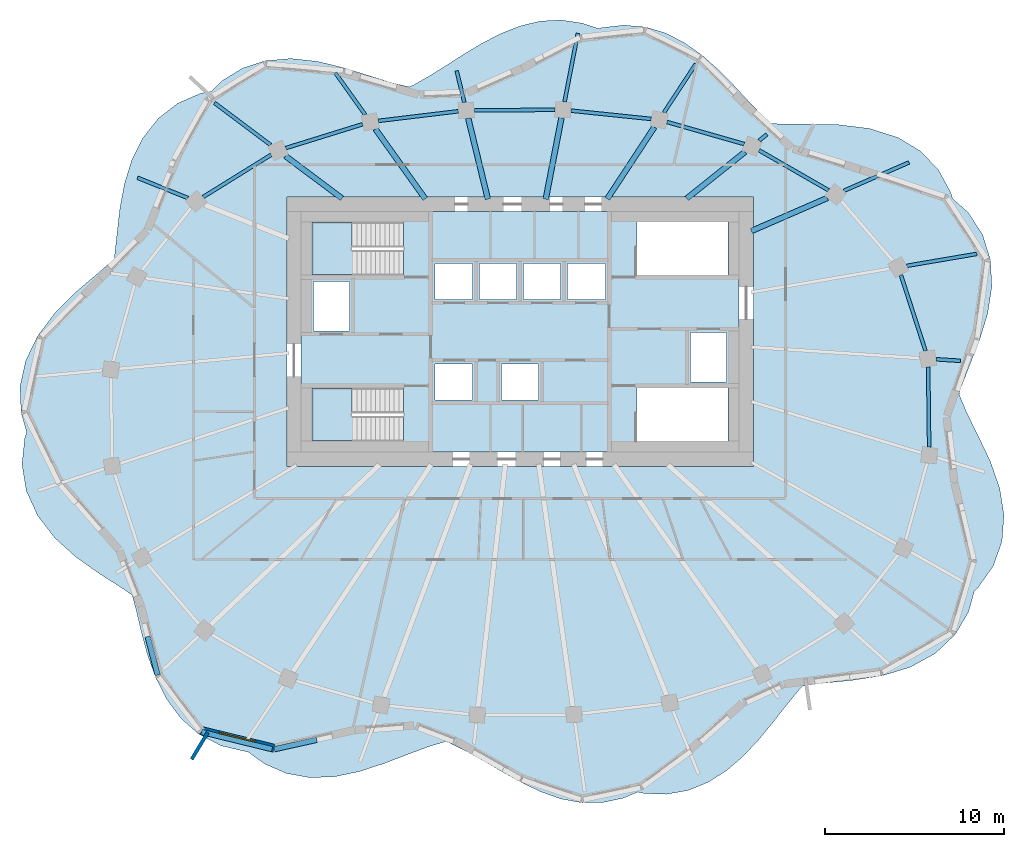
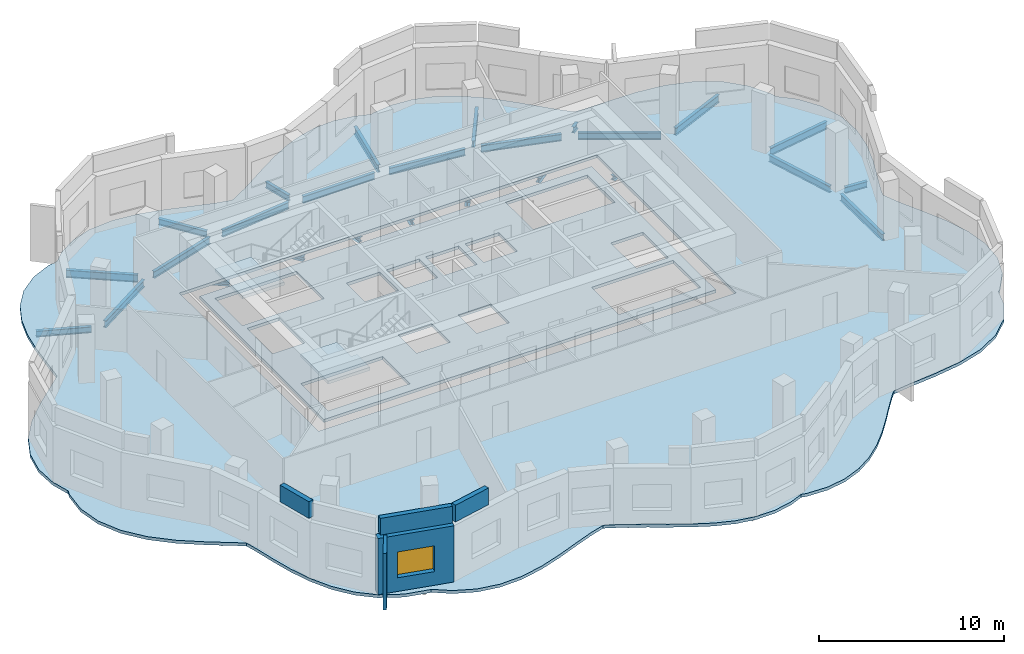
# One storey, part 2 of 9: 26 beams, 5 walls, 4 slabs, 1 window, 1 opening, 2 elements without a shape of their own.
"""IFC4 building model written with IfcOpenShell, lengths in metres."""

from ifc_helpers import new_model, si_unit, direction, frame, frame_2d, origin, origin_2d, place, context, subcontext, project, spatial, polyline, rectangle, i_section, outline, extrude, material, layer, layer_set, material_profile, profile_set, type_object, element, fill, aggregate, save


model = new_model("IFC4")

# Units and contexts
model_context = context("Model", 3, precision=1e-05, world=origin(), true_north=direction((0.0, 1.0)))
body_context = subcontext(model_context, "Body", "Model", "MODEL_VIEW")
ifc_project = project(units=[si_unit("LENGTHUNIT", "METRE"), si_unit("AREAUNIT", "SQUARE_METRE"), si_unit("VOLUMEUNIT", "CUBIC_METRE"), si_unit("PLANEANGLEUNIT", "RADIAN"), si_unit("MASSUNIT", "GRAM", prefix="KILO")], contexts=[model_context])

# Site, building, storey
site_placement = place(None, origin())
site = spatial("IfcSite", under=ifc_project, at=site_placement, CompositionType="ELEMENT")
building_placement = place(site_placement, origin())
building = spatial("IfcBuilding", under=site, at=building_placement, Name="Rubra Terraces Tower", CompositionType="ELEMENT")
storey_placement = place(building_placement, frame((0.0, 0.0, 303.89990234375)))
storey = spatial("IfcBuildingStorey", under=building, at=storey_placement, Name="L75", CompositionType="ELEMENT", Elevation=303.89990234375)

# Beams
ifc_material_1 = material(Name="Steel Q355B", Category="steel")
ifc_material_profile_1 = material_profile(ifc_material_1, i_section(OverallWidth=0.199951171875, OverallDepth=0.39990234375, WebThickness=0.008056640625, FlangeThickness=0.012939453125, at=origin_2d()), Name="HN 400x200x8x13")
ifc_profile_set_1 = profile_set([ifc_material_profile_1], Name="Steel Q355B")
beam_type_1 = type_object("IfcBeamType", Name="CANTILEVER BEAM HN 400x200x8x13", PredefinedType="BEAM", material=ifc_profile_set_1)
beam_1_placement = place(storey_placement, frame((-3.10693359375, 17.280029296875, -0.39990234375), z_axis=(-0.236299865942, 0.971680180592, 0.0), x_axis=(-0.971680180592, -0.236299865942, 0.0)))
element("IfcBeam", 1, at=beam_1_placement, inside=storey, type_object=beam_type_1, Name="beam-L75-cant-07", PredefinedType="BEAM", context=body_context, shape_type="SweptSolid", body=[
    extrude(i_section(OverallWidth=0.199951171875, OverallDepth=0.39990234375, WebThickness=0.008056640625, FlangeThickness=0.012939453125, at=origin_2d()), origin(), (0.0, 0.0, 1.0), 1.80712890625),
])
beam_2_placement = place(storey_placement, frame((-8.632080078125, 16.591064453125, -0.39990234375), z_axis=(-0.580898696932, 0.81397586199, 0.0), x_axis=(-0.81397586199, -0.580898696932, 0.0)))
element("IfcBeam", 2, at=beam_2_placement, inside=storey, type_object=beam_type_1, Name="beam-L75-cant-08", PredefinedType="BEAM", context=body_context, shape_type="SweptSolid", body=[
    extrude(i_section(OverallWidth=0.199951171875, OverallDepth=0.39990234375, WebThickness=0.008056640625, FlangeThickness=0.012939453125, at=origin_2d()), origin(), (0.0, 0.0, 1.0), 2.857421875),
])
beam_3_placement = place(storey_placement, frame((-18.51708984375, 11.949951171875, -0.39990234375), z_axis=(-0.927727536745, 0.373258111184, 0.0), x_axis=(-0.373258111184, -0.927727536745, 0.0)))
element("IfcBeam", 3, at=beam_3_placement, inside=storey, type_object=beam_type_1, Name="beam-L75-cant-10", PredefinedType="BEAM", context=body_context, shape_type="SweptSolid", body=[
    extrude(i_section(OverallWidth=0.199951171875, OverallDepth=0.39990234375, WebThickness=0.008056640625, FlangeThickness=0.012939453125, at=origin_2d()), origin(), (0.0, 0.0, 1.0), 3.019287109375),
])
ifc_material_profile_2 = material_profile(ifc_material_1, i_section(OverallWidth=0.198974609375, OverallDepth=0.446044921875, WebThickness=0.008056640625, FlangeThickness=0.011962890625, at=origin_2d()), Name="HN 446x199x8x12")
ifc_profile_set_2 = profile_set([ifc_material_profile_2], Name="Steel Q355B")
beam_type_2 = type_object("IfcBeamType", Name="CANTILEVER BEAM HN 446x199x8x12", PredefinedType="BEAM", material=ifc_profile_set_2)
beam_4_placement = place(storey_placement, frame((8.01806640625, 16.714111328125, -0.4228515625), z_axis=(0.548902148332, 0.835886614055, 0.0), x_axis=(-0.835886614055, 0.548902148332, 0.0)))
element("IfcBeam", 4, at=beam_4_placement, inside=storey, type_object=beam_type_2, Name="beam-L75-cant-05", PredefinedType="BEAM", context=body_context, shape_type="SweptSolid", body=[
    extrude(i_section(OverallWidth=0.198974609375, OverallDepth=0.446044921875, WebThickness=0.008056640625, FlangeThickness=0.011962890625, at=origin_2d()), origin(), (0.0, 0.0, 1.0), 3.233642578125),
])
ifc_material_profile_3 = material_profile(ifc_material_1, i_section(OverallWidth=0.198974609375, OverallDepth=0.49609375, WebThickness=0.009033203125, FlangeThickness=0.013916015625, at=origin_2d()), Name="HN 496x199x9x14")
ifc_profile_set_3 = profile_set([ifc_material_profile_3], Name="Steel Q355B")
beam_type_3 = type_object("IfcBeamType", Name="CANTILEVER BEAM HN 496x199x9x14", PredefinedType="BEAM", material=ifc_profile_set_3)
beam_5_placement = place(storey_placement, frame((21.552001953125, 8.169921875, -0.447998046875), z_axis=(0.985809855884, 0.167865803673, 0.0), x_axis=(-0.167865803673, 0.985809855884, 0.0)))
element("IfcBeam", 5, at=beam_5_placement, inside=storey, type_object=beam_type_3, Name="beam-L75-cant-02", PredefinedType="BEAM", context=body_context, shape_type="SweptSolid", body=[
    extrude(i_section(OverallWidth=0.198974609375, OverallDepth=0.49609375, WebThickness=0.009033203125, FlangeThickness=0.013916015625, at=origin_2d()), origin(), (0.0, 0.0, 1.0), 3.9501953125),
])
beam_6_placement = place(storey_placement, frame((18.047119140625, 12.35205078125, -0.447998046875), z_axis=(0.916957011568, 0.398986013459, 0.0), x_axis=(-0.398986013459, 0.916957011568, 0.0)))
element("IfcBeam", 6, at=beam_6_placement, inside=storey, type_object=beam_type_3, Name="beam-L75-cant-03", PredefinedType="BEAM", context=body_context, shape_type="SweptSolid", body=[
    extrude(i_section(OverallWidth=0.198974609375, OverallDepth=0.49609375, WebThickness=0.009033203125, FlangeThickness=0.013916015625, at=origin_2d()), origin(), (0.0, 0.0, 1.0), 3.949951171875),
])
beam_7_placement = place(storey_placement, frame((2.47802734375, 17.30810546875, -0.447998046875), z_axis=(0.190086340731, 0.981767377268, 0.0), x_axis=(-0.981767377268, 0.190086340731, 0.0)))
element("IfcBeam", 7, at=beam_7_placement, inside=storey, type_object=beam_type_3, Name="beam-L75-cant-06", PredefinedType="BEAM", context=body_context, shape_type="SweptSolid", body=[
    extrude(i_section(OverallWidth=0.198974609375, OverallDepth=0.49609375, WebThickness=0.009033203125, FlangeThickness=0.013916015625, at=origin_2d()), origin(), (0.0, 0.0, 1.0), 3.8876953125),
])
beam_8_placement = place(storey_placement, frame((-13.89794921875, 14.903076171875, -0.447998046875), z_axis=(-0.800479582074, 0.599360024261, 0.0), x_axis=(-0.599360024261, -0.800479582074, 0.0)))
element("IfcBeam", 8, at=beam_8_placement, inside=storey, type_object=beam_type_3, Name="beam-L75-cant-09", PredefinedType="BEAM", context=body_context, shape_type="SweptSolid", body=[
    extrude(i_section(OverallWidth=0.198974609375, OverallDepth=0.49609375, WebThickness=0.009033203125, FlangeThickness=0.013916015625, at=origin_2d()), origin(), (0.0, 0.0, 1.0), 3.907470703125),
])
ifc_material_profile_4 = material_profile(ifc_material_1, i_section(OverallWidth=0.199951171875, OverallDepth=0.39990234375, WebThickness=0.008056640625, FlangeThickness=0.012939453125, at=origin_2d()), Name="HN 400x200x8x13")
ifc_profile_set_4 = profile_set([ifc_material_profile_4], Name="Steel Q355B")
beam_type_4 = type_object("IfcBeamType", Name="CANTILEVER STUB HN 400x200x8x13", PredefinedType="BEAM", material=ifc_profile_set_4)
beam_9_placement = place(storey_placement, frame((23.195068359375, 2.9619140625, -0.39990234375), z_axis=(0.99785850461, -0.065409515961, 0.0), x_axis=(0.065409515961, 0.99785850461, 0.0)))
element("IfcBeam", 9, at=beam_9_placement, inside=storey, type_object=beam_type_4, Name="beam-L75-cant-01", PredefinedType="BEAM", context=body_context, shape_type="SweptSolid", body=[
    extrude(i_section(OverallWidth=0.199951171875, OverallDepth=0.39990234375, WebThickness=0.008056640625, FlangeThickness=0.012939453125, at=origin_2d()), origin(), (0.0, 0.0, 1.0), 1.34375),
])
beam_10_placement = place(storey_placement, frame((13.326904296875, 15.152099609375, -0.39990234375), z_axis=(0.780868809443, 0.624695047554, 0.0), x_axis=(-0.624695047554, 0.780868809443, 0.0)))
element("IfcBeam", 10, at=beam_10_placement, inside=storey, type_object=beam_type_4, Name="beam-L75-cant-04", PredefinedType="BEAM", context=body_context, shape_type="SweptSolid", body=[
    extrude(i_section(OverallWidth=0.199951171875, OverallDepth=0.39990234375, WebThickness=0.008056640625, FlangeThickness=0.012939453125, at=origin_2d()), origin(), (0.0, 0.0, 1.0), 0.545654296875),
])
ifc_material_profile_5 = material_profile(ifc_material_1, i_section(OverallWidth=0.304931640625, OverallDepth=0.300048828125, WebThickness=0.014892578125, FlangeThickness=0.014892578125, at=origin_2d()), Name="HW 300x305x15x15")
ifc_profile_set_5 = profile_set([ifc_material_profile_5], Name="Steel Q355B")
beam_type_5 = type_object("IfcBeamType", Name="FLOOR BEAM HW 300x305x15x15", PredefinedType="BEAM", material=ifc_profile_set_5)
beam_11_placement = place(storey_placement, frame((17.12109375, 11.949951171875, -0.349853515625), z_axis=(-0.916958146743, -0.398983404569, 0.0), x_axis=(0.398983404569, -0.916958146743, 0.0)))
element("IfcBeam", 11, at=beam_11_placement, inside=storey, type_object=beam_type_5, Name="beam-L75-floor-03", PredefinedType="BEAM", context=body_context, shape_type="SweptSolid", body=[
    extrude(i_section(OverallWidth=0.304931640625, OverallDepth=0.300048828125, WebThickness=0.014892578125, FlangeThickness=0.014892578125, at=origin_2d()), origin(), (0.0, 0.0, 1.0), 4.614501953125),
])
beam_12_placement = place(storey_placement, frame((12.527099609375, 14.511962890625, -0.349853515625), z_axis=(-0.781190597938, -0.624292599423, 0.0), x_axis=(0.624292599423, -0.781190597938, 0.0)))
element("IfcBeam", 12, at=beam_12_placement, inside=storey, type_object=beam_type_5, Name="beam-L75-floor-04", PredefinedType="BEAM", context=body_context, shape_type="SweptSolid", body=[
    extrude(i_section(OverallWidth=0.304931640625, OverallDepth=0.300048828125, WebThickness=0.014892578125, FlangeThickness=0.014892578125, at=origin_2d()), origin(), (0.0, 0.0, 1.0), 4.143798828125),
])
beam_13_placement = place(storey_placement, frame((7.48388671875, 15.89990234375, -0.349853515625), z_axis=(-0.548799087814, -0.835954281773, 0.0), x_axis=(0.835954281773, -0.548799087814, 0.0)))
element("IfcBeam", 13, at=beam_13_placement, inside=storey, type_object=beam_type_5, Name="beam-L75-floor-05", PredefinedType="BEAM", context=body_context, shape_type="SweptSolid", body=[
    extrude(i_section(OverallWidth=0.304931640625, OverallDepth=0.300048828125, WebThickness=0.014892578125, FlangeThickness=0.014892578125, at=origin_2d()), origin(), (0.0, 0.0, 1.0), 4.784912109375),
])
beam_14_placement = place(storey_placement, frame((2.305908203125, 16.416015625, -0.349853515625), z_axis=(-0.190104093884, -0.981763939798, 0.0), x_axis=(0.981763939798, -0.190104093884, 0.0)))
element("IfcBeam", 14, at=beam_14_placement, inside=storey, type_object=beam_type_5, Name="beam-L75-floor-06", PredefinedType="BEAM", context=body_context, shape_type="SweptSolid", body=[
    extrude(i_section(OverallWidth=0.304931640625, OverallDepth=0.300048828125, WebThickness=0.014892578125, FlangeThickness=0.014892578125, at=origin_2d()), origin(), (0.0, 0.0, 1.0), 4.6181640625),
])
beam_15_placement = place(storey_placement, frame((-2.89111328125, 16.39208984375, -0.349853515625), z_axis=(0.236229407797, -0.971697312383, 0.0), x_axis=(0.971697312383, 0.236229407797, 0.0)))
element("IfcBeam", 15, at=beam_15_placement, inside=storey, type_object=beam_type_5, Name="beam-L75-floor-07", PredefinedType="BEAM", context=body_context, shape_type="SweptSolid", body=[
    extrude(i_section(OverallWidth=0.304931640625, OverallDepth=0.300048828125, WebThickness=0.014892578125, FlangeThickness=0.014892578125, at=origin_2d()), origin(), (0.0, 0.0, 1.0), 4.640380859375),
])
beam_16_placement = place(storey_placement, frame((-8.06201171875, 15.79296875, -0.349853515625), z_axis=(0.580948286594, -0.813940469754, 0.0), x_axis=(0.813940469754, 0.580948286594, 0.0)))
element("IfcBeam", 16, at=beam_16_placement, inside=storey, type_object=beam_type_5, Name="beam-L75-floor-08", PredefinedType="BEAM", context=body_context, shape_type="SweptSolid", body=[
    extrude(i_section(OverallWidth=0.304931640625, OverallDepth=0.300048828125, WebThickness=0.014892578125, FlangeThickness=0.014892578125, at=origin_2d()), origin(), (0.0, 0.0, 1.0), 4.7802734375),
])
beam_17_placement = place(storey_placement, frame((-13.075927734375, 14.2890625, -0.349853515625), z_axis=(0.800431185592, -0.599424655092, 0.0), x_axis=(0.599424655092, 0.800431185592, 0.0)))
element("IfcBeam", 17, at=beam_17_placement, inside=storey, type_object=beam_type_5, Name="beam-L75-floor-09", PredefinedType="BEAM", context=body_context, shape_type="SweptSolid", body=[
    extrude(i_section(OverallWidth=0.304931640625, OverallDepth=0.300048828125, WebThickness=0.014892578125, FlangeThickness=0.014892578125, at=origin_2d()), origin(), (0.0, 0.0, 1.0), 3.93896484375),
])
ifc_material_profile_6 = material_profile(ifc_material_1, i_section(OverallWidth=0.198974609375, OverallDepth=0.446044921875, WebThickness=0.008056640625, FlangeThickness=0.011962890625, at=origin_2d()), Name="HN 446x199x8x12")
ifc_profile_set_6 = profile_set([ifc_material_profile_6], Name="Steel Q355B")
beam_type_6 = type_object("IfcBeamType", Name="SPANDREL BEAM HN 446x199x8x12", PredefinedType="SPANDREL", material=ifc_profile_set_6)
beam_18_placement = place(storey_placement, frame((22.593994140625, 3.426025390625, -0.4228515625), z_axis=(-0.308536942246, 0.951212360764, 0.0), x_axis=(-0.951212360764, -0.308536942246, 0.0)))
element("IfcBeam", 18, at=beam_18_placement, inside=storey, type_object=beam_type_6, Name="beam-L75-spandrel-01", PredefinedType="SPANDREL", context=body_context, shape_type="SweptSolid", body=[
    extrude(i_section(OverallWidth=0.198974609375, OverallDepth=0.446044921875, WebThickness=0.008056640625, FlangeThickness=0.011962890625, at=origin_2d()), origin(), (0.0, 0.0, 1.0), 4.44384765625),
])
beam_19_placement = place(storey_placement, frame((17.18798828125, 12.37890625, -0.4228515625), z_axis=(-0.866616005945, 0.498975648945, 0.0), x_axis=(-0.498975648945, -0.866616005945, 0.0)))
element("IfcBeam", 19, at=beam_19_placement, inside=storey, type_object=beam_type_6, Name="beam-L75-spandrel-03", PredefinedType="SPANDREL", context=body_context, shape_type="SweptSolid", body=[
    extrude(i_section(OverallWidth=0.198974609375, OverallDepth=0.446044921875, WebThickness=0.008056640625, FlangeThickness=0.011962890625, at=origin_2d()), origin(), (0.0, 0.0, 1.0), 4.463134765625),
])
beam_20_placement = place(storey_placement, frame((12.490966796875, 14.9560546875, -0.4228515625), z_axis=(-0.961713024643, 0.27405849418, 0.0), x_axis=(-0.27405849418, -0.961713024643, 0.0)))
element("IfcBeam", 20, at=beam_20_placement, inside=storey, type_object=beam_type_6, Name="beam-L75-spandrel-04", PredefinedType="SPANDREL", context=body_context, shape_type="SweptSolid", body=[
    extrude(i_section(OverallWidth=0.198974609375, OverallDepth=0.446044921875, WebThickness=0.008056640625, FlangeThickness=0.011962890625, at=origin_2d()), origin(), (0.0, 0.0, 1.0), 4.477294921875),
])
beam_21_placement = place(storey_placement, frame((7.302001953125, 16.35400390625, -0.4228515625), z_axis=(-0.994684107425, 0.102973425873, 0.0), x_axis=(-0.102973425873, -0.994684107425, 0.0)))
element("IfcBeam", 21, at=beam_21_placement, inside=storey, type_object=beam_type_6, Name="beam-L75-spandrel-05", PredefinedType="SPANDREL", context=body_context, shape_type="SweptSolid", body=[
    extrude(i_section(OverallWidth=0.198974609375, OverallDepth=0.446044921875, WebThickness=0.008056640625, FlangeThickness=0.011962890625, at=origin_2d()), origin(), (0.0, 0.0, 1.0), 4.48583984375),
])
beam_22_placement = place(storey_placement, frame((1.94091796875, 16.860107421875, -0.4228515625), z_axis=(-0.999987753188, -0.004949088244, 0.0), x_axis=(0.004949088244, -0.999987753188, 0.0)))
element("IfcBeam", 22, at=beam_22_placement, inside=storey, type_object=beam_type_6, Name="beam-L75-spandrel-06", PredefinedType="SPANDREL", context=body_context, shape_type="SweptSolid", body=[
    extrude(i_section(OverallWidth=0.198974609375, OverallDepth=0.446044921875, WebThickness=0.008056640625, FlangeThickness=0.011962890625, at=origin_2d()), origin(), (0.0, 0.0, 1.0), 4.489013671875),
])
beam_23_placement = place(storey_placement, frame((-3.447021484375, 16.781982421875, -0.4228515625), z_axis=(-0.992829862118, -0.119536040116, 0.0), x_axis=(0.119536040116, -0.992829862118, 0.0)))
element("IfcBeam", 23, at=beam_23_placement, inside=storey, type_object=beam_type_6, Name="beam-L75-spandrel-07", PredefinedType="SPANDREL", context=body_context, shape_type="SweptSolid", body=[
    extrude(i_section(OverallWidth=0.198974609375, OverallDepth=0.446044921875, WebThickness=0.008056640625, FlangeThickness=0.011962890625, at=origin_2d()), origin(), (0.0, 0.0, 1.0), 4.483154296875),
])
beam_24_placement = place(storey_placement, frame((-8.779052734375, 16.05810546875, -0.4228515625), z_axis=(-0.955035382264, -0.296491852541, 0.0), x_axis=(0.296491852541, -0.955035382264, 0.0)))
element("IfcBeam", 24, at=beam_24_placement, inside=storey, type_object=beam_type_6, Name="beam-L75-spandrel-08", PredefinedType="SPANDREL", context=body_context, shape_type="SweptSolid", body=[
    extrude(i_section(OverallWidth=0.198974609375, OverallDepth=0.446044921875, WebThickness=0.008056640625, FlangeThickness=0.011962890625, at=origin_2d()), origin(), (0.0, 0.0, 1.0), 4.47607421875),
])
beam_25_placement = place(storey_placement, frame((-13.8720703125, 14.35693359375, -0.4228515625), z_axis=(-0.849641857012, -0.527360137679, 0.0), x_axis=(0.527360137679, -0.849641857012, 0.0)))
element("IfcBeam", 25, at=beam_25_placement, inside=storey, type_object=beam_type_6, Name="beam-L75-spandrel-09", PredefinedType="SPANDREL", context=body_context, shape_type="SweptSolid", body=[
    extrude(i_section(OverallWidth=0.198974609375, OverallDepth=0.446044921875, WebThickness=0.008056640625, FlangeThickness=0.011962890625, at=origin_2d()), origin(), (0.0, 0.0, 1.0), 4.4619140625),
])
beam_26_placement = place(storey_placement, frame((22.7958984375, -1.93408203125, -0.4228515625), z_axis=(-0.01250038801, 0.999921867097, 0.0), x_axis=(-0.999921867097, -0.01250038801, 0.0)))
element("IfcBeam", 26, at=beam_26_placement, inside=storey, type_object=beam_type_6, Name="beam-L75-spandrel-24", PredefinedType="SPANDREL", context=body_context, shape_type="SweptSolid", body=[
    extrude(i_section(OverallWidth=0.198974609375, OverallDepth=0.446044921875, WebThickness=0.008056640625, FlangeThickness=0.011962890625, at=origin_2d()), origin(), (0.0, 0.0, 1.0), 4.472412109375),
])

# Slab
ifc_material_2 = material(Name="Concrete C40", Category="concrete")
ifc_layer_1 = layer(ifc_material_2, 0.199951171875)
ifc_layer_set_1 = layer_set([ifc_layer_1], Name="Concrete C40")
slab_type_1 = type_object("IfcSlabType", Name="Core floor slab 200 concrete", PredefinedType="FLOOR", material=ifc_layer_set_1)
slab_1_placement = place(storey_placement, frame((0.0, 0.0, -0.199951171875)))
element("IfcSlab", 27, at=slab_1_placement, inside=storey, type_object=slab_type_1, Name="CORE FLOOR SLAB L75", PredefinedType="FLOOR", context=body_context, shape_type="SweptSolid", body=[
    extrude(outline(polyline([(-12.199951171875, -2.199951171875), (-12.199951171875, 11.199951171875), (12.199951171875, 11.199951171875), (12.199951171875, -2.199951171875), (-12.199951171875, -2.199951171875)]), holes=[polyline([(11.597900390625, 1.347900390625), (6.501953125, 1.347900390625), (6.501953125, -1.597900390625), (11.597900390625, -1.597900390625), (11.597900390625, 1.347900390625)]), polyline([(11.597900390625, 7.652099609375), (11.597900390625, 10.597900390625), (6.501953125, 10.597900390625), (6.501953125, 7.652099609375), (11.597900390625, 7.652099609375)]), polyline([(9.5, 1.699951171875), (11.5, 1.699951171875), (11.5, 4.449951171875), (9.5, 4.449951171875), (9.5, 1.699951171875)]), polyline([(4.75, 6.300048828125), (4.75, 8.300048828125), (2.64990234375, 8.300048828125), (2.64990234375, 6.300048828125), (4.75, 6.300048828125)]), polyline([(2.25, 8.300048828125), (0.199951171875, 8.300048828125), (0.199951171875, 6.300048828125), (2.25, 6.300048828125), (2.25, 8.300048828125)]), polyline([(1.02490234375, 0.699951171875), (1.02490234375, 2.699951171875), (-1.02490234375, 2.699951171875), (-1.02490234375, 0.699951171875), (1.02490234375, 0.699951171875)]), polyline([(-0.199951171875, 6.300048828125), (-0.199951171875, 8.300048828125), (-2.25, 8.300048828125), (-2.25, 6.300048828125), (-0.199951171875, 6.300048828125)]), polyline([(-4.75, 8.300048828125), (-4.75, 6.300048828125), (-2.64990234375, 6.300048828125), (-2.64990234375, 8.300048828125), (-4.75, 8.300048828125)]), polyline([(-2.64990234375, 0.699951171875), (-2.64990234375, 2.699951171875), (-4.75, 2.699951171875), (-4.75, 0.699951171875), (-2.64990234375, 0.699951171875)]), polyline([(-11.597900390625, -1.597900390625), (-6.501953125, -1.597900390625), (-6.501953125, 1.347900390625), (-11.597900390625, 1.347900390625), (-11.597900390625, -1.597900390625)]), polyline([(-11.597900390625, 10.597900390625), (-11.597900390625, 7.652099609375), (-6.501953125, 7.652099609375), (-6.501953125, 10.597900390625), (-11.597900390625, 10.597900390625)]), polyline([(-9.5, 4.550048828125), (-9.5, 7.300048828125), (-11.5, 7.300048828125), (-11.5, 4.550048828125), (-9.5, 4.550048828125)])]), origin(), (0.0, 0.0, 1.0), 0.199951171875),
])

# Stair, slab
stair_type = type_object("IfcStairType", Name="Core stair 1400", PredefinedType="HALF_TURN_STAIR", material=ifc_material_2)
stair_1_placement = place(storey_placement, origin())
stair_1 = element("IfcStair", 28, at=stair_1_placement, inside=storey, type_object=stair_type, Name="L75 Exit stair S1", PredefinedType="HALF_TURN_STAIR")
ifc_layer_2 = layer(ifc_material_2, 0.199951171875)
ifc_layer_set_2 = layer_set([ifc_layer_2], Name="Concrete C40")
slab_type_2 = type_object("IfcSlabType", Name="Core stair landing 200", PredefinedType="LANDING", material=ifc_layer_set_2)
slab_2_placement = place(storey_placement, frame((0.0, 0.0, 1.75)))
slab_2 = element("IfcSlab", 29, at=slab_2_placement, type_object=slab_type_2, Name="S1 landing 1", PredefinedType="LANDING", context=body_context, shape_type="SweptSolid", body=[
    extrude(outline(polyline([(-8.97998046875, -0.199951171875), (-8.97998046875, -1.60009765625), (-9.360107421875, -1.60009765625), (-9.3798828125, -1.60009765625), (-11.60009765625, -1.60009765625), (-11.60009765625, 1.35009765625), (-9.3798828125, 1.35009765625), (-9.35791015625, 1.35009765625), (-9.35791015625, -0.050048828125), (-9.360107421875, -0.050048828125), (-9.360107421875, -0.199951171875), (-8.97998046875, -0.199951171875)])), origin(), (0.0, 0.0, 1.0), 0.2001953125),
])
aggregate(stair_1, [slab_2])

stair_2_placement = place(storey_placement, origin())
stair_2 = element("IfcStair", 30, at=stair_2_placement, inside=storey, type_object=stair_type, Name="L75 Exit stair S2", PredefinedType="HALF_TURN_STAIR")
slab_3_placement = place(storey_placement, frame((0.0, 0.0, 1.75)))
slab_3 = element("IfcSlab", 31, at=slab_3_placement, type_object=slab_type_2, Name="S2 landing 1", PredefinedType="LANDING", context=body_context, shape_type="SweptSolid", body=[
    extrude(outline(polyline([(-8.97998046875, 9.050048828125), (-8.97998046875, 7.64990234375), (-9.3798828125, 7.64990234375), (-11.60009765625, 7.64990234375), (-11.60009765625, 10.60009765625), (-9.3798828125, 10.60009765625), (-9.360107421875, 10.60009765625), (-9.35791015625, 10.60009765625), (-9.35791015625, 9.199951171875), (-9.360107421875, 9.199951171875), (-9.360107421875, 9.050048828125), (-8.97998046875, 9.050048828125)])), origin(), (0.0, 0.0, 1.0), 0.2001953125),
])
aggregate(stair_2, [slab_3])

# Slab
ifc_layer_3 = layer(ifc_material_2, 0.199951171875)
ifc_layer_set_3 = layer_set([ifc_layer_3], Name="Concrete C40")
slab_type_3 = type_object("IfcSlabType", Name="FLOOR SLAB 200 COMPOSITE", PredefinedType="FLOOR", material=ifc_layer_set_3)
slab_4_placement = place(storey_placement, frame((0.0, 0.0, -0.199951171875)))
element("IfcSlab", 32, at=slab_4_placement, inside=storey, type_object=slab_type_3, Name="FLOOR SLAB L75", PredefinedType="FLOOR", context=body_context, shape_type="SweptSolid", body=[
    extrude(outline(polyline([(-5.048095703125, -18.60888671875), (-4.14111328125, -18.340087890625), (-3.931884765625, -18.422119140625), (-2.991943359375, -18.889892578125), (-2.012939453125, -19.44091796875), (-1.013916015625, -20.02294921875), (0.0, -20.5869140625), (1.131103515625, -21.134033203125), (2.281005859375, -21.5400390625), (3.445068359375, -21.751953125), (4.596923828125, -21.739990234375), (5.73291015625, -21.5), (6.56201171875, -21.157958984375), (6.89892578125, -21.23291015625), (8.137939453125, -21.279052734375), (9.344970703125, -21.069091796875), (10.498046875, -20.60302734375), (11.498046875, -19.965087890625), (12.424072265625, -19.1708984375), (13.27392578125, -18.27001953125), (14.05908203125, -17.320068359375), (14.794921875, -16.381103515625), (15.506103515625, -15.506103515625), (15.75390625, -15.242919921875), (16.818115234375, -15.093994140625), (18.468994140625, -14.93701171875), (20.19189453125, -14.669921875), (21.739013671875, -14.201904296875), (23.134033203125, -13.43896484375), (24.260986328125, -12.362060546875), (24.98291015625, -11.135986328125), (25.31591796875, -9.965087890625), (25.468017578125, -9.8359375), (26.367919921875, -8.56689453125), (26.85693359375, -7.18896484375), (26.966064453125, -5.718017578125), (26.72998046875, -4.23388671875), (26.214111328125, -2.748046875), (25.550048828125, -1.343017578125), (24.883056640625, 0.0), (24.466064453125, 1.011962890625), (24.544921875, 1.305908203125), (25.05908203125, 2.64111328125), (25.614990234375, 4.056884765625), (26.06005859375, 5.510009765625), (26.291015625, 7.01806640625), (26.2109375, 8.51611328125), (25.76708984375, 9.925048828125), (24.9599609375, 11.156005859375), (24.094970703125, 11.927001953125), (24.011962890625, 12.235107421875), (23.31494140625, 13.51611328125), (22.318115234375, 14.55810546875), (21.076904296875, 15.31298828125), (19.4560546875, 15.825927734375), (17.7470703125, 16.032958984375), (16.06103515625, 16.06103515625), (14.5869140625, 16.06494140625), (13.9580078125, 16.114013671875), (14.306884765625, 15.7880859375), (13.486083984375, 16.553955078125), (12.658935546875, 17.424072265625), (11.868896484375, 18.27294921875), (11.032958984375, 19.117919921875), (10.14208984375, 19.905029296875), (9.14306640625, 20.613037109375), (8.0849609375, 21.14990234375), (6.97900390625, 21.47900390625), (5.77294921875, 21.5830078125), (4.552978515625, 21.43994140625), (4.367919921875, 21.385009765625), (3.43701171875, 21.697998046875), (2.2880859375, 21.867919921875), (1.136962890625, 21.80908203125), (0.0, 21.537109375), (-1.06689453125, 21.115966796875), (-2.1240234375, 20.571044921875), (-3.159912109375, 19.948974609375), (-4.10400390625, 19.344970703125), (-5.02587890625, 18.76611328125), (-5.930908203125, 18.2529296875), (-6.173095703125, 18.14208984375), (-7.123046875, 18.365966796875), (-8.426025390625, 18.77001953125), (-9.780029296875, 19.194091796875), (-11.27392578125, 19.56005859375), (-12.77490234375, 19.721923828125), (-14.23388671875, 19.592041015625), (-15.471923828125, 19.18310546875), (-16.589111328125, 18.493896484375), (-17.555908203125, 17.555908203125), (-17.217041015625, 17.885009765625), (-17.787109375, 17.787109375), (-19.06201171875, 17.238037109375), (-20.157958984375, 16.39111328125), (-21.032958984375, 15.281982421875), (-21.64404296875, 14.050048828125), (-22.053955078125, 12.718994140625), (-22.302978515625, 11.364013671875), (-22.466064453125, 9.93701171875), (-22.610107421875, 8.616943359375), (-22.625, 8.532958984375), (-23.623046875, 7.676025390625), (-24.782958984375, 6.68310546875), (-25.9169921875, 5.549072265625), (-26.887939453125, 4.259033203125), (-27.554931640625, 2.8779296875), (-27.867919921875, 1.43408203125), (-27.806884765625, 0.0), (-27.49609375, -1.10595703125), (-27.60400390625, -1.422119140625), (-27.758056640625, -2.89501953125), (-27.52001953125, -4.35888671875), (-26.89306640625, -5.7451171875), (-25.94091796875, -6.986083984375), (-24.77099609375, -8.048095703125), (-23.404052734375, -9.012939453125), (-22.091064453125, -9.84912109375), (-21.6201171875, -10.18310546875), (-21.419921875, -10.9140625), (-21.1298828125, -12.15087890625), (-20.782958984375, -13.4541015625), (-20.31689453125, -14.761962890625), (-19.697021484375, -15.98193359375), (-18.89697265625, -17.056884765625), (-17.919921875, -17.919921875), (-16.65087890625, -18.5810546875), (-15.242919921875, -18.908935546875), (-15.176025390625, -18.909912109375), (-14.23388671875, -19.591064453125), (-13.013916015625, -20.12109375), (-11.705078125, -20.35302734375), (-10.344970703125, -20.302978515625), (-8.930908203125, -20.007080078125), (-7.535888671875, -19.549072265625), (-6.18310546875, -19.029052734375), (-5.048095703125, -18.60888671875)]), holes=[polyline([(13.0, 12.0), (13.0, -3.0), (-13.0, -3.0), (-13.0, 12.0), (13.0, 12.0)])]), origin(), (0.0, 0.0, 1.0), 0.199951171875),
])

# Wall, opening, window
ifc_material_3 = material(Name="Brick masonry red-brown", Category="masonry")
ifc_layer_4 = layer(ifc_material_3, 0.449951171875)
ifc_layer_set_4 = layer_set([ifc_layer_4], Name="Brick masonry red-brown")
wall_type_1 = type_object("IfcWallType", Name="Brick facade wall 450", PredefinedType="SOLIDWALL", material=ifc_layer_set_4)
wall_1_placement = place(storey_placement, frame((-17.86669921875, -17.701416015625, 0.0), z_axis=(0.0, 0.0, 1.0), x_axis=(0.971546885012, -0.236847314156, 0.0)))
wall_1 = element("IfcWall", 33, at=wall_1_placement, inside=storey, type_object=wall_type_1, Name="Facade wall L75 bay 26", PredefinedType="SOLIDWALL", context=body_context, shape_type="SweptSolid", body=[
    extrude(rectangle(XDim=4.284912109375, YDim=0.449951171875, at=frame_2d((2.142578125, 0.0))), origin(), (0.0, 0.0, 1.0), 3.7001953125),
])
opening_placement = place(wall_1_placement, frame((1.092529296875, 0.0, 0.89990234375)))
opening = element("IfcOpeningElement", 34, at=opening_placement, cuts=wall_1, Name="Opening W1Y", PredefinedType="OPENING", context=body_context, shape_type="SweptSolid", body=[
    extrude(rectangle(XDim=2.10009765625, YDim=1.699951171875, at=frame_2d((1.050048828125, 0.85009765625))), frame((0.0, 0.23486328125, 0.0), z_axis=(0.0, -1.0, 0.0), x_axis=(1.0, 0.0, 0.0)), (0.0, 0.0, 1.0), 0.469970703125),
])
ifc_material_4 = material(Name="Clear glass in aluminium frame", Category="aluminium")
window_type = type_object("IfcWindowType", Name="Fixed deep-set window under crown ring girder 2100 x 1700", PartitioningType="SINGLE_PANEL", PredefinedType="WINDOW", material=ifc_material_4)
window_placement = place(opening_placement, origin())
window = element("IfcWindow", 35, at=window_placement, inside=storey, type_object=window_type, Name="Window L75 bay 26", OverallHeight=1.699951171875, OverallWidth=2.10009765625, PartitioningType="SINGLE_PANEL", PredefinedType="WINDOW", context=body_context, shape_type="SweptSolid", body=[
    extrude(rectangle(XDim=2.10009765625, YDim=1.699951171875, at=frame_2d((1.050048828125, 0.85009765625))), frame((0.0, 0.135009765625, 0.0), z_axis=(0.0, -1.0, 0.0), x_axis=(1.0, 0.0, 0.0)), (0.0, 0.0, 1.0), 0.06005859375),
])
fill(opening, window)

# Walls
ifc_layer_5 = layer(ifc_material_3, 0.300048828125)
ifc_layer_set_5 = layer_set([ifc_layer_5], Name="Brick masonry red-brown")
wall_type_2 = type_object("IfcWallType", Name="Brick parapet 300", PredefinedType="PARAPET", material=ifc_layer_set_5)
wall_2_placement = place(storey_placement, frame((-20.755126953125, -12.493896484375, 3.900146484375), z_axis=(0.0, 0.0, 1.0), x_axis=(0.253022983796, -0.967460267748, 0.0)))
element("IfcWall", 36, at=wall_2_placement, inside=storey, type_object=wall_type_2, Name="Parapet L75 bay 24", PredefinedType="PARAPET", context=body_context, shape_type="SweptSolid", body=[
    extrude(rectangle(XDim=2.21533203125, YDim=0.300048828125, at=frame_2d((1.107666015625, 0.0))), origin(), (0.0, 0.0, 1.0), 1.099853515625),
])
wall_3_placement = place(storey_placement, frame((-17.751708984375, -17.806640625, 3.900146484375), z_axis=(0.0, 0.0, 1.0), x_axis=(0.971541327586, -0.236870109537, 0.0)))
element("IfcWall", 37, at=wall_3_placement, inside=storey, type_object=wall_type_2, Name="Parapet L75 bay 26", PredefinedType="PARAPET", context=body_context, shape_type="SweptSolid", body=[
    extrude(rectangle(XDim=4.048583984375, YDim=0.300048828125, at=frame_2d((2.0244140625, 0.0))), origin(), (0.0, 0.0, 1.0), 1.099853515625),
])
wall_4_placement = place(storey_placement, frame((-13.69189453125, -18.76708984375, 3.900146484375), z_axis=(0.0, 0.0, 1.0), x_axis=(0.976383724351, 0.216043566953, 0.0)))
element("IfcWall", 38, at=wall_4_placement, inside=storey, type_object=wall_type_2, Name="Parapet L75 bay 27", PredefinedType="PARAPET", context=body_context, shape_type="SweptSolid", body=[
    extrude(rectangle(XDim=2.41943359375, YDim=0.300048828125, at=frame_2d((1.209716796875, 0.0))), origin(), (0.0, 0.0, 1.0), 1.099853515625),
])
ifc_layer_6 = layer(ifc_material_3, 0.199951171875)
ifc_layer_set_6 = layer_set([ifc_layer_6], Name="Brick masonry red-brown")
wall_type_3 = type_object("IfcWallType", Name="Brick wind fin 200", PredefinedType="SOLIDWALL", material=ifc_layer_set_6)
wall_5_placement = place(storey_placement, frame((-17.406005859375, -17.8349609375, 0.0), z_axis=(0.0, 0.0, 1.0), x_axis=(-0.512648290506, -0.858598701514, 0.0)))
element("IfcWall", 39, at=wall_5_placement, inside=storey, type_object=wall_type_3, Name="Wind fin L75 13", PredefinedType="SOLIDWALL", context=body_context, shape_type="SweptSolid", body=[
    extrude(rectangle(XDim=1.750244140625, YDim=0.199951171875, at=frame_2d((0.875, 0.0))), origin(), (0.0, 0.0, 1.0), 3.7001953125),
])

save(model, "model.ifc")
